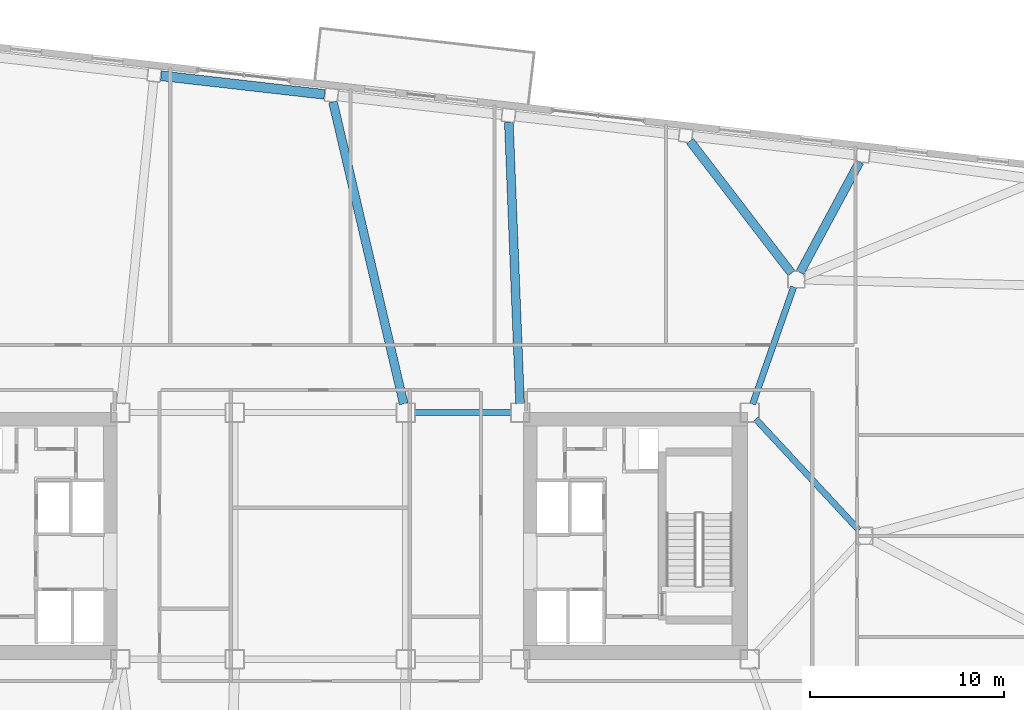
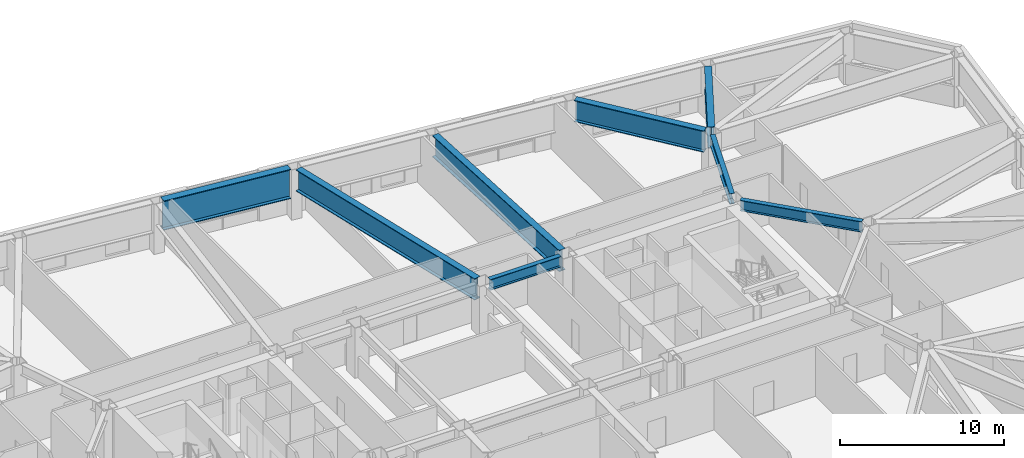
# One storey, part 7 of 21: 8 beams.
"""IFC4 building model written with IfcOpenShell, lengths in metres."""

from ifc_helpers import new_model, si_unit, direction, frame, origin, origin_2d, place, context, subcontext, project, spatial, i_section, extrude, material, material_profile, profile_set, type_object, element, save


model = new_model("IFC4")

# Units and contexts
model_context = context("Model", 3, precision=1e-05, world=origin(), true_north=direction((0.0, 1.0)))
body_context = subcontext(model_context, "Body", "Model", "MODEL_VIEW")
ifc_project = project(units=[si_unit("LENGTHUNIT", "METRE"), si_unit("AREAUNIT", "SQUARE_METRE"), si_unit("VOLUMEUNIT", "CUBIC_METRE"), si_unit("PLANEANGLEUNIT", "RADIAN"), si_unit("MASSUNIT", "GRAM", prefix="KILO")], contexts=[model_context])

# Site, building, storey
site_placement = place(None, origin())
site = spatial("IfcSite", under=ifc_project, at=site_placement, CompositionType="ELEMENT")
building_placement = place(site_placement, origin())
building = spatial("IfcBuilding", under=site, at=building_placement, Name="Tavrogorsk Clinical Tower", CompositionType="ELEMENT")
storey_placement = place(building_placement, frame((0.0, 0.0, 89.39990234375)))
storey = spatial("IfcBuildingStorey", under=building, at=storey_placement, Name="L19", CompositionType="ELEMENT", Elevation=89.39990234375)

# Beams
ifc_material_1 = material(Name="Structural steel S390", Category="steel")
ifc_material_profile_1 = material_profile(ifc_material_1, i_section(OverallWidth=0.320068359375, OverallDepth=0.800048828125, WebThickness=0.02001953125, FlangeThickness=0.033935546875, at=origin_2d()), Name="B-800x320x20x34")
ifc_profile_set_1 = profile_set([ifc_material_profile_1], Name="Structural steel S390")
beam_type_1 = type_object("IfcBeamType", Name="PrimaryGirder_B800", PredefinedType="USERDEFINED", material=ifc_profile_set_1)
beam_1_placement = place(storey_placement, frame((4.860107421875, 6.35009765625, 3.340087890625), z_axis=(1.0, 0.0, 0.0), x_axis=(0.0, 1.0, 0.0)))
element("IfcBeam", 1, at=beam_1_placement, inside=storey, type_object=beam_type_1, Name="L19 Primary Spine Girder MG-06", ObjectType="GIRDER", PredefinedType="USERDEFINED", context=body_context, shape_type="SweptSolid", body=[
    extrude(i_section(OverallWidth=0.320068359375, OverallDepth=0.800048828125, WebThickness=0.02001953125, FlangeThickness=0.033935546875, at=origin_2d()), origin(), (0.0, 0.0, 1.0), 4.97998046875),
])
beam_2_placement = place(storey_placement, frame((24.364501953125, 12.81298828125, 3.340087890625), z_axis=(-0.330660234815, -0.943749865755, 0.0), x_axis=(0.943749865755, -0.330660234815, 0.0)))
element("IfcBeam", 2, at=beam_2_placement, inside=storey, type_object=beam_type_1, Name="L19 Spine Link Girder OPG-4", ObjectType="GIRDER", PredefinedType="USERDEFINED", context=body_context, shape_type="SweptSolid", body=[
    extrude(i_section(OverallWidth=0.320068359375, OverallDepth=0.800048828125, WebThickness=0.02001953125, FlangeThickness=0.033935546875, at=origin_2d()), origin(), (0.0, 0.0, 1.0), 6.38818359375),
])
beam_3_placement = place(storey_placement, frame((27.720947265625, 0.30029296875, 3.340087890625), z_axis=(-0.680675630035, 0.732584934787, 0.0), x_axis=(-0.732584934787, -0.680675630035, 0.0)))
element("IfcBeam", 3, at=beam_3_placement, inside=storey, type_object=beam_type_1, Name="L19 Spine Link Girder OPG-8", ObjectType="GIRDER", PredefinedType="USERDEFINED", context=body_context, shape_type="SweptSolid", body=[
    extrude(i_section(OverallWidth=0.320068359375, OverallDepth=0.800048828125, WebThickness=0.02001953125, FlangeThickness=0.033935546875, at=origin_2d()), origin(), (0.0, 0.0, 1.0), 7.7978515625),
])
ifc_material_2 = material(Name="Structural steel S440", Category="steel")
ifc_material_profile_2 = material_profile(ifc_material_2, i_section(OverallWidth=0.449951171875, OverallDepth=1.60009765625, WebThickness=0.031982421875, FlangeThickness=0.050048828125, at=origin_2d()), Name="DK-1600x450x32x50")
ifc_profile_set_2 = profile_set([ifc_material_profile_2], Name="Structural steel S440")
beam_type_2 = type_object("IfcBeamType", Name="TransferGirder_DK1600", PredefinedType="USERDEFINED", material=ifc_profile_set_2)
beam_4_placement = place(storey_placement, frame((24.6943359375, 13.56103515625, 2.940185546875), z_axis=(0.473788919736, 0.880638438597, 0.0), x_axis=(-0.880638438597, 0.473788919736, 0.0)))
element("IfcBeam", 4, at=beam_4_placement, inside=storey, type_object=beam_type_2, Name="L19 Radial Floor Beam N2", ObjectType="GIRDER", PredefinedType="USERDEFINED", context=body_context, shape_type="SweptSolid", body=[
    extrude(i_section(OverallWidth=0.449951171875, OverallDepth=1.60009765625, WebThickness=0.031982421875, FlangeThickness=0.050048828125, at=origin_2d()), origin(), (0.0, 0.0, 1.0), 6.462890625),
])
beam_5_placement = place(storey_placement, frame((24.250244140625, 13.525146484375, 2.940185546875), z_axis=(-0.609376288757, 0.792881163038, 0.0), x_axis=(-0.792881163038, -0.609376288757, 0.0)))
element("IfcBeam", 5, at=beam_5_placement, inside=storey, type_object=beam_type_2, Name="L19 Radial Floor Beam N3", ObjectType="GIRDER", PredefinedType="USERDEFINED", context=body_context, shape_type="SweptSolid", body=[
    extrude(i_section(OverallWidth=0.449951171875, OverallDepth=1.60009765625, WebThickness=0.031982421875, FlangeThickness=0.050048828125, at=origin_2d()), origin(), (0.0, 0.0, 1.0), 8.5732421875),
])
beam_6_placement = place(storey_placement, frame((10.28173828125, 6.8095703125, 2.940185546875), z_axis=(-0.039881908424, 0.999204400201, 0.0), x_axis=(-0.999204400201, -0.039881908424, 0.0)))
element("IfcBeam", 6, at=beam_6_placement, inside=storey, type_object=beam_type_2, Name="L19 Radial Floor Beam N4", ObjectType="GIRDER", PredefinedType="USERDEFINED", context=body_context, shape_type="SweptSolid", body=[
    extrude(i_section(OverallWidth=0.449951171875, OverallDepth=1.60009765625, WebThickness=0.031982421875, FlangeThickness=0.050048828125, at=origin_2d()), origin(), (0.0, 0.0, 1.0), 14.48974609375),
])
beam_7_placement = place(storey_placement, frame((4.294921875, 6.7978515625, 2.940185546875), z_axis=(-0.228197667081, 0.973614823603, 0.0), x_axis=(-0.973614823603, -0.228197667081, 0.0)))
element("IfcBeam", 7, at=beam_7_placement, inside=storey, type_object=beam_type_2, Name="L19 Radial Floor Beam N5", ObjectType="GIRDER", PredefinedType="USERDEFINED", context=body_context, shape_type="SweptSolid", body=[
    extrude(i_section(OverallWidth=0.449951171875, OverallDepth=1.60009765625, WebThickness=0.031982421875, FlangeThickness=0.050048828125, at=origin_2d()), origin(), (0.0, 0.0, 1.0), 15.959228515625),
])
ifc_material_3 = material(Name="Structural steel S440", Category="steel")
ifc_material_profile_3 = material_profile(ifc_material_3, i_section(OverallWidth=0.5, OverallDepth=2.199951171875, WebThickness=0.035888671875, FlangeThickness=0.054931640625, at=origin_2d()), Name="DK-2200x500x36x55")
ifc_profile_set_3 = profile_set([ifc_material_profile_3], Name="Structural steel S440")
beam_type_3 = type_object("IfcBeamType", Name="TransferGirder_DK2200", PredefinedType="USERDEFINED", material=ifc_profile_set_3)
beam_8_placement = place(storey_placement, frame((0.2158203125, 22.724853515625, 2.64013671875), z_axis=(-0.993569819641, 0.113221082395, 0.0), x_axis=(-0.113221082395, -0.993569819641, 0.0)))
element("IfcBeam", 8, at=beam_8_placement, inside=storey, type_object=beam_type_3, Name="L19 Perimeter Spandrel N5-N6", ObjectType="GIRDER", PredefinedType="USERDEFINED", context=body_context, shape_type="SweptSolid", body=[
    extrude(i_section(OverallWidth=0.5, OverallDepth=2.199951171875, WebThickness=0.035888671875, FlangeThickness=0.054931640625, at=origin_2d()), origin(), (0.0, 0.0, 1.0), 8.46142578125),
])

save(model, "model.ifc")
